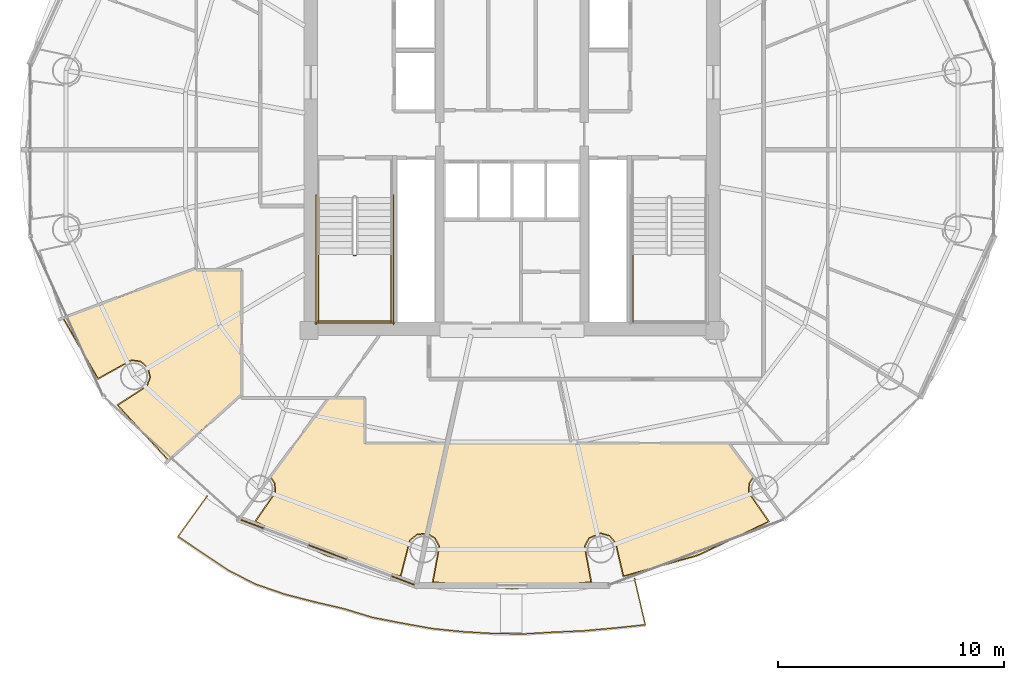
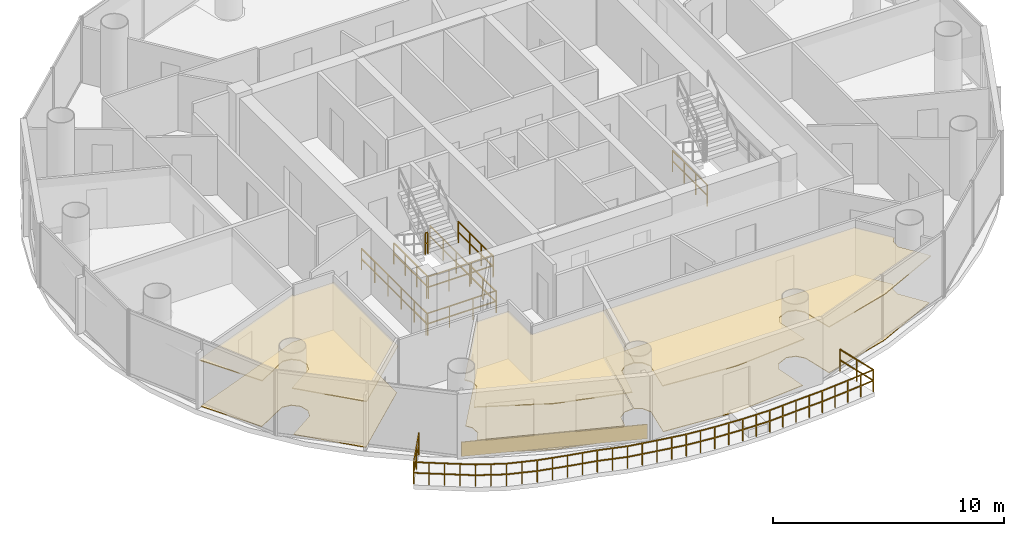
# One storey, part 24 of 26: 9 railings, 7 coverings.
"""IFC4 building model written with IfcOpenShell, lengths in metres."""

import ifcopenshell
import ifcopenshell.guid

model = None  # the IFC model being written
_history = None  # IfcOwnerHistory: only IFC2X3 demands one
_inside = {}  # id of a spatial element -> (the spatial element, [elements in it])
_under = {}  # id of a project, library or spatial element -> (it, [spatial elements below it])
_declared = {}  # id of a project -> (the project, [libraries it declares])
_typed = {}  # id of a type object -> (the type object, [elements of that type])
_made_of = {}  # id of a material, layer set ... -> (it, [elements and type objects made of it])


def new_model(schema):
    """Start an empty IFC model of exactly this schema.

    Asked for "IFC4X3", IfcOpenShell would pick the latest addendum, in which some entities
    have other attributes; the version numbers below select the first issue.
    IFC2X3 requires an IfcOwnerHistory on every rooted entity: one is made here for all.
    """
    global model, _history
    if schema == "IFC4X3":
        model = ifcopenshell.file(schema_version=(4, 3, 0, 0))
    else:
        model = ifcopenshell.file(schema=schema)
    _inside.clear()
    _under.clear()
    _declared.clear()
    _typed.clear()
    _made_of.clear()
    _history = None
    if model.schema == "IFC2X3":
        org = make("IfcOrganization", Name="unknown")
        user = make(
            "IfcPersonAndOrganization",
            ThePerson=make("IfcPerson", FamilyName="unknown"),
            TheOrganization=org,
        )
        app = make(
            "IfcApplication",
            ApplicationDeveloper=org,
            Version="unknown",
            ApplicationFullName="unknown",
            ApplicationIdentifier="unknown",
        )
        _history = make(
            "IfcOwnerHistory",
            OwningUser=user,
            OwningApplication=app,
            ChangeAction="ADDED",
            CreationDate=0,
        )
    return model


def make(cls, **values):
    """One entity of the class cls with the attributes given. An attribute that is None is left unset."""
    return model.create_entity(
        cls, **{name: value for name, value in values.items() if value is not None}
    )


def rooted(cls, **values):
    """An entity with a GlobalId (a new one), such as an element, a storey or a relation."""
    return make(cls, GlobalId=ifcopenshell.guid.new(), OwnerHistory=_history, **values)


def si_unit(unit_type, name, prefix=None):
    """IfcSIUnit, for example si_unit("LENGTHUNIT", "METRE", prefix="MILLI")."""
    return make("IfcSIUnit", UnitType=unit_type, Prefix=prefix, Name=name)


def assignment(units):
    """IfcUnitAssignment: the units of a project."""
    return None if units is None else make("IfcUnitAssignment", Units=units)


def point(xyz):
    """IfcCartesianPoint."""
    return None if xyz is None else make("IfcCartesianPoint", Coordinates=xyz)


def direction(xyz):
    """IfcDirection."""
    return None if xyz is None else make("IfcDirection", DirectionRatios=xyz)


def frame(location, z_axis=None, x_axis=None):
    """IfcAxis2Placement3D, a coordinate frame: its origin and axes. An axis left out is left unset."""
    return make(
        "IfcAxis2Placement3D",
        Location=point(location),
        Axis=direction(z_axis),
        RefDirection=direction(x_axis),
    )


def frame_2d(location, x_axis=None):
    """IfcAxis2Placement2D, a coordinate frame in the plane: its origin and x axis."""
    return make(
        "IfcAxis2Placement2D", Location=point(location), RefDirection=direction(x_axis)
    )


def origin():
    """The frame at (0, 0, 0) with its axes left unset."""
    return frame((0.0, 0.0, 0.0))


def origin_2d():
    """The frame at (0, 0) in the plane with its x axis left unset."""
    return frame_2d((0.0, 0.0))


def place(relative_to, where):
    """IfcLocalPlacement: puts the frame where relative to a parent placement (None: the world)."""
    return make(
        "IfcLocalPlacement", PlacementRelTo=relative_to, RelativePlacement=where
    )


def context(
    kind, dimensions, precision=None, world=None, true_north=None, identifier=None
):
    """IfcGeometricRepresentationContext, for example the 3D "Model" context."""
    return make(
        "IfcGeometricRepresentationContext",
        ContextIdentifier=identifier,
        ContextType=kind,
        CoordinateSpaceDimension=dimensions,
        Precision=precision,
        WorldCoordinateSystem=world,
        TrueNorth=true_north,
    )


def subcontext(parent, identifier, kind, view, scale=None):
    """IfcGeometricRepresentationSubContext, for example "Body" below "Model"."""
    return make(
        "IfcGeometricRepresentationSubContext",
        ContextIdentifier=identifier,
        ContextType=kind,
        ParentContext=parent,
        TargetScale=scale,
        TargetView=view,
    )


def project(units=None, contexts=None):
    """IfcProject with its units and contexts."""
    return rooted(
        "IfcProject",
        Name="project",
        RepresentationContexts=contexts,
        UnitsInContext=assignment(units),
    )


def spatial(cls, under=None, at=None, **own):
    """A site, building, storey or space (cls), placed at a placement, below another one or the project."""
    s = rooted(cls, ObjectPlacement=at, **own)
    if under is not None:
        _under.setdefault(under.id(), (under, []))[1].append(s)
    return s


def polyline(points):
    """IfcPolyline through the points."""
    return make("IfcPolyline", Points=[point(p) for p in points])


def profile(cls, at=None, kind="AREA", **sizes):
    """A parametric profile (cls). Its sizes go by their IFC names, for example OverallWidth=200.0."""
    return make(cls, ProfileType=kind, Position=at, **sizes)


def rectangle(**sizes):
    """IfcRectangleProfileDef."""
    return profile("IfcRectangleProfileDef", **sizes)


def outline(outer, holes=None, kind="AREA"):
    """IfcArbitraryClosedProfileDef: a profile drawn as a closed curve; with holes, ...WithVoids."""
    if holes is None:
        return make("IfcArbitraryClosedProfileDef", ProfileType=kind, OuterCurve=outer)
    return make(
        "IfcArbitraryProfileDefWithVoids",
        ProfileType=kind,
        OuterCurve=outer,
        InnerCurves=holes,
    )


def extrude(swept, where, along, depth):
    """IfcExtrudedAreaSolid: the profile swept, set in the frame where, extruded along a direction by depth."""
    return make(
        "IfcExtrudedAreaSolid",
        SweptArea=swept,
        Position=where,
        ExtrudedDirection=direction(along),
        Depth=depth,
    )


def shape(context_of_items, identifier, shape_type, items):
    """IfcShapeRepresentation: the items that make up one representation, for example the "Body"."""
    return make(
        "IfcShapeRepresentation",
        ContextOfItems=context_of_items,
        RepresentationIdentifier=identifier,
        RepresentationType=shape_type,
        Items=items,
    )


def source(mapping_origin, context_of_items, identifier, shape_type, items):
    """IfcRepresentationMap: a shape defined once, which mapped items show again and again."""
    return make(
        "IfcRepresentationMap",
        MappingOrigin=mapping_origin,
        MappedRepresentation=shape(context_of_items, identifier, shape_type, items),
    )


def transform(
    local_origin,
    x_axis=None,
    y_axis=None,
    z_axis=None,
    scale=None,
    scale2=None,
    scale3=None,
    uniform=True,
):
    """IfcCartesianTransformationOperator3D, or its non-uniform kind. x_axis, y_axis, z_axis: its Axis1, 2, 3."""
    if uniform:
        return make(
            "IfcCartesianTransformationOperator3D",
            Axis1=direction(x_axis),
            Axis2=direction(y_axis),
            LocalOrigin=point(local_origin),
            Scale=scale,
            Axis3=direction(z_axis),
        )
    return make(
        "IfcCartesianTransformationOperator3DnonUniform",
        Axis1=direction(x_axis),
        Axis2=direction(y_axis),
        LocalOrigin=point(local_origin),
        Scale=scale,
        Axis3=direction(z_axis),
        Scale2=scale2,
        Scale3=scale3,
    )


def mapped(mapping_source, mapping_target):
    """IfcMappedItem: shows the shape of a source again, moved by a transform."""
    return make(
        "IfcMappedItem", MappingSource=mapping_source, MappingTarget=mapping_target
    )


def material(Name=None, Category=None):
    """IfcMaterial."""
    return make("IfcMaterial", Name=Name, Category=Category)


def layer(
    of_material, thickness, ventilated=None, Name=None, Category=None, Priority=None
):
    """IfcMaterialLayer: one layer of a wall or slab, of a material (None: an air gap)."""
    return make(
        "IfcMaterialLayer",
        Material=of_material,
        LayerThickness=thickness,
        IsVentilated=ventilated,
        Name=Name,
        Category=Category,
        Priority=Priority,
    )


def layer_set(layers, Name=None):
    """IfcMaterialLayerSet."""
    return make("IfcMaterialLayerSet", MaterialLayers=layers, LayerSetName=Name)


def made_of(thing, what):
    """Note that an element or type object is made of a material, layer set ...; save() writes the relation."""
    if what is not None:
        _made_of.setdefault(what.id(), (what, []))[1].append(thing)
    return thing


def type_object(cls, material=None, **own):
    """A type object (cls), such as IfcWallType, which elements share."""
    return made_of(rooted(cls, **own), material)


def element(
    cls,
    number,
    at=None,
    inside=None,
    cuts=None,
    type_object=None,
    material=None,
    context=None,
    identifier="Body",
    shape_type=None,
    held_by="IfcProductDefinitionShape",
    body=None,
    shapes=None,
    **own,
):
    """One element of the class cls, such as IfcWall. Its Tag is "e" and its number.

    at: its placement. inside: the storey or other place that contains it. cuts: it is an
    opening in that element (IfcRelVoidsElement). A single representation is given by context,
    identifier, shape_type and body (its items); several are given by shapes. held_by: the class
    of the entity that holds the representations. save() writes the other relations.
    """
    e = rooted(cls, Tag="e%d" % number, ObjectPlacement=at, **own)
    if body is not None:
        shapes = [shape(context, identifier, shape_type, body)]
    if shapes is not None:
        e.Representation = make(held_by, Representations=shapes)
    if inside is not None:
        _inside.setdefault(inside.id(), (inside, []))[1].append(e)
    if cuts is not None:
        rooted(
            "IfcRelVoidsElement", RelatingBuildingElement=cuts, RelatedOpeningElement=e
        )
    if type_object is not None:
        _typed.setdefault(type_object.id(), (type_object, []))[1].append(e)
    return made_of(e, material)


def aggregate(whole, parts):
    """IfcRelAggregates: a whole, such as a stair, and the parts it consists of."""
    return rooted("IfcRelAggregates", RelatingObject=whole, RelatedObjects=parts)


def save(model, path):
    """Write the relations noted so far, then the file.

    IfcRelAggregates (storeys below a building ...), IfcRelContainedInSpatialStructure (elements
    in a storey), IfcRelDefinesByType, IfcRelAssociatesMaterial and IfcRelDeclares: one each for
    every whole, place, type object, material and project.
    """
    for whole, parts in _under.values():
        aggregate(whole, parts)
    for where, things in _inside.values():
        rooted(
            "IfcRelContainedInSpatialStructure",
            RelatedElements=things,
            RelatingStructure=where,
        )
    for kind, things in _typed.values():
        rooted("IfcRelDefinesByType", RelatedObjects=things, RelatingType=kind)
    for what, things in _made_of.values():
        rooted("IfcRelAssociatesMaterial", RelatedObjects=things, RelatingMaterial=what)
    for by, libraries in _declared.values():
        rooted("IfcRelDeclares", RelatingContext=by, RelatedDefinitions=libraries)
    model.write(path)


model = new_model("IFC4")

# Units and contexts
model_context = context("Model", 3, precision=1e-05, world=origin(), true_north=direction((-0.2419218956, 0.970295726276)))
body_context = subcontext(model_context, "Body", "Model", "MODEL_VIEW")
ifc_project = project(units=[si_unit("LENGTHUNIT", "METRE"), si_unit("AREAUNIT", "SQUARE_METRE"), si_unit("VOLUMEUNIT", "CUBIC_METRE"), si_unit("PLANEANGLEUNIT", "RADIAN"), si_unit("MASSUNIT", "GRAM", prefix="KILO")], contexts=[model_context])

# Site, building, storey
site_placement = place(None, origin())
site = spatial("IfcSite", under=ifc_project, at=site_placement, CompositionType="ELEMENT")
building_placement = place(site_placement, origin())
building = spatial("IfcBuilding", under=site, at=building_placement, Name="Cobrevalo Terracotta Tower", CompositionType="ELEMENT")
storey_placement = place(building_placement, frame((0.0, 0.0, 213.39990234375)))
storey = spatial("IfcBuildingStorey", under=building, at=storey_placement, Name="L56", CompositionType="ELEMENT", Elevation=213.39990234375)

# Railing
ifc_material_1 = material(Name="Laminated structural glass and stainless steel", Category="steel")
railing_type_1 = type_object("IfcRailingType", Name="Balcony lobe structural glass & terracotta-cap balustrade 1180 mm", PredefinedType="BALUSTRADE", material=ifc_material_1)
railing_1_placement = place(storey_placement, frame((24.493896484375, 11.471923828125, 0.0)))
element("IfcRailing", 1, at=railing_1_placement, inside=storey, type_object=railing_type_1, Name="L56 spiralling balcony lobe balustrade 2", PredefinedType="BALUSTRADE", context=body_context, shape_type="SweptSolid", body=[
    extrude(rectangle(XDim=0.048095703125, YDim=0.048095703125, at=origin_2d()), frame((0.0, 0.0, 1.15576171875), z_axis=(-0.584365777879, -0.8114903805, 0.0), x_axis=(0.8114903805, -0.584365777879, 0.0)), (0.0, 0.0, 1.0), 2.212158203125),
    extrude(rectangle(XDim=0.048095703125, YDim=0.048095703125, at=origin_2d()), frame((0.0, 0.0, 0.58984375), z_axis=(-0.584365777879, -0.8114903805, 0.0), x_axis=(0.8114903805, -0.584365777879, 0.0)), (0.0, 0.0, 1.0), 2.212158203125),
    extrude(rectangle(XDim=0.048095703125, YDim=0.048095703125, at=origin_2d()), frame((-1.292724609375, -1.795166015625, 1.15576171875), z_axis=(0.82820605993, -0.560423698906, 0.0), x_axis=(0.560423698906, 0.82820605993, 0.0)), (0.0, 0.0, 1.0), 1.335693359375),
    extrude(rectangle(XDim=0.048095703125, YDim=0.048095703125, at=origin_2d()), frame((-1.292724609375, -1.795166015625, 0.58984375), z_axis=(0.82820605993, -0.560423698906, 0.0), x_axis=(0.560423698906, 0.82820605993, 0.0)), (0.0, 0.0, 1.0), 1.335693359375),
    extrude(rectangle(XDim=0.048095703125, YDim=0.048095703125, at=origin_2d()), frame((-0.1865234375, -2.543701171875, 1.15576171875), z_axis=(0.832050294338, -0.554700196225, 0.0), x_axis=(0.554700196225, 0.832050294338, 0.0)), (0.0, 0.0, 1.0), 1.344970703125),
    extrude(rectangle(XDim=0.048095703125, YDim=0.048095703125, at=origin_2d()), frame((-0.1865234375, -2.543701171875, 0.58984375), z_axis=(0.832050294338, -0.554700196225, 0.0), x_axis=(0.554700196225, 0.832050294338, 0.0)), (0.0, 0.0, 1.0), 1.344970703125),
    extrude(rectangle(XDim=0.048095703125, YDim=0.048095703125, at=origin_2d()), frame((0.9326171875, -3.289794921875, 1.15576171875), z_axis=(0.889738179252, -0.456471217473, 0.0), x_axis=(0.456471217473, 0.889738179252, 0.0)), (0.0, 0.0, 1.0), 1.3466796875),
    extrude(rectangle(XDim=0.048095703125, YDim=0.048095703125, at=origin_2d()), frame((0.9326171875, -3.289794921875, 0.58984375), z_axis=(0.889738179252, -0.456471217473, 0.0), x_axis=(0.456471217473, 0.889738179252, 0.0)), (0.0, 0.0, 1.0), 1.3466796875),
    extrude(rectangle(XDim=0.048095703125, YDim=0.048095703125, at=origin_2d()), frame((2.130859375, -3.904541015625, 1.15576171875), z_axis=(0.945267855586, -0.32629538948, 0.0), x_axis=(0.32629538948, 0.945267855586, 0.0)), (0.0, 0.0, 1.0), 1.35791015625),
    extrude(rectangle(XDim=0.048095703125, YDim=0.048095703125, at=origin_2d()), frame((2.130859375, -3.904541015625, 0.58984375), z_axis=(0.945267855586, -0.32629538948, 0.0), x_axis=(0.32629538948, 0.945267855586, 0.0)), (0.0, 0.0, 1.0), 1.35791015625),
    extrude(rectangle(XDim=0.048095703125, YDim=0.048095703125, at=origin_2d()), frame((3.41455078125, -4.34765625, 1.15576171875), z_axis=(0.968014759985, -0.250893253101, 0.0), x_axis=(0.250893253101, 0.968014759985, 0.0)), (0.0, 0.0, 1.0), 1.3525390625),
    extrude(rectangle(XDim=0.048095703125, YDim=0.048095703125, at=origin_2d()), frame((3.41455078125, -4.34765625, 0.58984375), z_axis=(0.968014759985, -0.250893253101, 0.0), x_axis=(0.250893253101, 0.968014759985, 0.0)), (0.0, 0.0, 1.0), 1.3525390625),
    extrude(rectangle(XDim=0.048095703125, YDim=0.048095703125, at=origin_2d()), frame((4.723876953125, -4.68701171875, 1.15576171875), z_axis=(0.974070161209, -0.226246151443, 0.0), x_axis=(0.226246151443, 0.974070161209, 0.0)), (0.0, 0.0, 1.0), 1.349853515625),
    extrude(rectangle(XDim=0.048095703125, YDim=0.048095703125, at=origin_2d()), frame((4.723876953125, -4.68701171875, 0.58984375), z_axis=(0.974070161209, -0.226246151443, 0.0), x_axis=(0.226246151443, 0.974070161209, 0.0)), (0.0, 0.0, 1.0), 1.349853515625),
    extrude(rectangle(XDim=0.048095703125, YDim=0.048095703125, at=origin_2d()), frame((6.038818359375, -4.992431640625, 1.15576171875), z_axis=(0.956691517082, -0.291103660478, 0.0), x_axis=(0.291103660478, 0.956691517082, 0.0)), (0.0, 0.0, 1.0), 1.341064453125),
    extrude(rectangle(XDim=0.048095703125, YDim=0.048095703125, at=origin_2d()), frame((6.038818359375, -4.992431640625, 0.58984375), z_axis=(0.956691517082, -0.291103660478, 0.0), x_axis=(0.291103660478, 0.956691517082, 0.0)), (0.0, 0.0, 1.0), 1.341064453125),
    extrude(rectangle(XDim=0.048095703125, YDim=0.048095703125, at=origin_2d()), frame((7.32177734375, -5.3828125, 1.15576171875), z_axis=(0.981707758267, -0.190394005574, 0.0), x_axis=(0.190394005574, 0.981707758267, 0.0)), (0.0, 0.0, 1.0), 1.346435546875),
    extrude(rectangle(XDim=0.048095703125, YDim=0.048095703125, at=origin_2d()), frame((7.32177734375, -5.3828125, 0.58984375), z_axis=(0.981707758267, -0.190394005574, 0.0), x_axis=(0.190394005574, 0.981707758267, 0.0)), (0.0, 0.0, 1.0), 1.346435546875),
    extrude(rectangle(XDim=0.048095703125, YDim=0.048095703125, at=origin_2d()), frame((8.6435546875, -5.63916015625, 1.15576171875), z_axis=(0.984407415597, -0.175903496604, 0.0), x_axis=(0.175903496604, 0.984407415597, 0.0)), (0.0, 0.0, 1.0), 1.34765625),
    extrude(rectangle(XDim=0.048095703125, YDim=0.048095703125, at=origin_2d()), frame((8.6435546875, -5.63916015625, 0.58984375), z_axis=(0.984407415597, -0.175903496604, 0.0), x_axis=(0.175903496604, 0.984407415597, 0.0)), (0.0, 0.0, 1.0), 1.34765625),
    extrude(rectangle(XDim=0.048095703125, YDim=0.048095703125, at=origin_2d()), frame((9.97021484375, -5.876220703125, 1.15576171875), z_axis=(0.994731354168, -0.102516013558, 0.0), x_axis=(0.102516013558, 0.994731354168, 0.0)), (0.0, 0.0, 1.0), 1.347900390625),
    extrude(rectangle(XDim=0.048095703125, YDim=0.048095703125, at=origin_2d()), frame((9.97021484375, -5.876220703125, 0.58984375), z_axis=(0.994731354168, -0.102516013558, 0.0), x_axis=(0.102516013558, 0.994731354168, 0.0)), (0.0, 0.0, 1.0), 1.347900390625),
    extrude(rectangle(XDim=0.048095703125, YDim=0.048095703125, at=origin_2d()), frame((11.31103515625, -6.014404296875, 1.15576171875), z_axis=(0.998252494265, -0.059092788853, 0.0), x_axis=(0.059092788853, 0.998252494265, 0.0)), (0.0, 0.0, 1.0), 1.35107421875),
    extrude(rectangle(XDim=0.048095703125, YDim=0.048095703125, at=origin_2d()), frame((11.31103515625, -6.014404296875, 0.58984375), z_axis=(0.998252494265, -0.059092788853, 0.0), x_axis=(0.059092788853, 0.998252494265, 0.0)), (0.0, 0.0, 1.0), 1.35107421875),
    extrude(rectangle(XDim=0.048095703125, YDim=0.048095703125, at=origin_2d()), frame((12.65966796875, -6.09423828125, 1.15576171875), z_axis=(0.999895148577, -0.014480740747, 0.0), x_axis=(0.014480740747, 0.999895148577, 0.0)), (0.0, 0.0, 1.0), 1.348876953125),
    extrude(rectangle(XDim=0.048095703125, YDim=0.048095703125, at=origin_2d()), frame((12.65966796875, -6.09423828125, 0.58984375), z_axis=(0.999895148577, -0.014480740747, 0.0), x_axis=(0.014480740747, 0.999895148577, 0.0)), (0.0, 0.0, 1.0), 1.348876953125),
    extrude(rectangle(XDim=0.048095703125, YDim=0.048095703125, at=origin_2d()), frame((14.00830078125, -6.11376953125, 1.15576171875), z_axis=(0.998306003335, 0.058181815941, 0.0), x_axis=(-0.058181815941, 0.998306003335, 0.0)), (0.0, 0.0, 1.0), 1.35107421875),
    extrude(rectangle(XDim=0.048095703125, YDim=0.048095703125, at=origin_2d()), frame((14.00830078125, -6.11376953125, 0.58984375), z_axis=(0.998306003335, 0.058181815941, 0.0), x_axis=(-0.058181815941, 0.998306003335, 0.0)), (0.0, 0.0, 1.0), 1.35107421875),
    extrude(rectangle(XDim=0.048095703125, YDim=0.048095703125, at=origin_2d()), frame((15.357177734375, -6.03515625, 1.15576171875), z_axis=(0.999029403542, 0.044048278725, 0.0), x_axis=(-0.044048278725, 0.999029403542, 0.0)), (0.0, 0.0, 1.0), 1.352294921875),
    extrude(rectangle(XDim=0.048095703125, YDim=0.048095703125, at=origin_2d()), frame((15.357177734375, -6.03515625, 0.58984375), z_axis=(0.999029403542, 0.044048278725, 0.0), x_axis=(-0.044048278725, 0.999029403542, 0.0)), (0.0, 0.0, 1.0), 1.352294921875),
    extrude(rectangle(XDim=0.048095703125, YDim=0.048095703125, at=origin_2d()), frame((16.708251953125, -5.9755859375, 1.15576171875), z_axis=(0.995899113219, 0.090470748251, 0.0), x_axis=(-0.090470748251, 0.995899113219, 0.0)), (0.0, 0.0, 1.0), 1.354736328125),
    extrude(rectangle(XDim=0.048095703125, YDim=0.048095703125, at=origin_2d()), frame((16.708251953125, -5.9755859375, 0.58984375), z_axis=(0.995899113219, 0.090470748251, 0.0), x_axis=(-0.090470748251, 0.995899113219, 0.0)), (0.0, 0.0, 1.0), 1.354736328125),
    extrude(rectangle(XDim=0.048095703125, YDim=0.048095703125, at=origin_2d()), frame((18.057373046875, -5.85302734375, 1.15576171875), z_axis=(0.994396117334, 0.105718313608, 0.0), x_axis=(-0.105718313608, 0.994396117334, 0.0)), (0.0, 0.0, 1.0), 1.36474609375),
    extrude(rectangle(XDim=0.048095703125, YDim=0.048095703125, at=origin_2d()), frame((18.057373046875, -5.85302734375, 0.58984375), z_axis=(0.994396117334, 0.105718313608, 0.0), x_axis=(-0.105718313608, 0.994396117334, 0.0)), (0.0, 0.0, 1.0), 1.36474609375),
    extrude(rectangle(XDim=0.048095703125, YDim=0.048095703125, at=origin_2d()), frame((19.41455078125, -5.708740234375, 1.15576171875), z_axis=(-0.227546953473, 0.973767109716, 0.0), x_axis=(-0.973767109716, -0.227546953473, 0.0)), (0.0, 0.0, 1.0), 2.11572265625),
    extrude(rectangle(XDim=0.048095703125, YDim=0.048095703125, at=origin_2d()), frame((19.41455078125, -5.708740234375, 0.58984375), z_axis=(-0.227546953473, 0.973767109716, 0.0), x_axis=(-0.973767109716, -0.227546953473, 0.0)), (0.0, 0.0, 1.0), 2.11572265625),
    extrude(rectangle(XDim=0.0419921875, YDim=0.0419921875, at=origin_2d()), origin(), (0.0, 0.0, 1.0), 1.1318359375),
    extrude(rectangle(XDim=0.0419921875, YDim=0.0419921875, at=origin_2d()), frame((-0.646484375, -0.8974609375, 0.0)), (0.0, 0.0, 1.0), 1.1318359375),
    extrude(rectangle(XDim=0.0419921875, YDim=0.0419921875, at=origin_2d()), frame((-1.292724609375, -1.795166015625, 0.0)), (0.0, 0.0, 1.0), 1.1318359375),
    extrude(rectangle(XDim=0.0419921875, YDim=0.0419921875, at=origin_2d()), frame((-0.73974609375, -2.16943359375, 0.0)), (0.0, 0.0, 1.0), 1.1318359375),
    extrude(rectangle(XDim=0.0419921875, YDim=0.0419921875, at=origin_2d()), frame((-0.1865234375, -2.543701171875, 0.0)), (0.0, 0.0, 1.0), 1.1318359375),
    extrude(rectangle(XDim=0.0419921875, YDim=0.0419921875, at=origin_2d()), frame((0.373046875, -2.916748046875, 0.0)), (0.0, 0.0, 1.0), 1.1318359375),
    extrude(rectangle(XDim=0.0419921875, YDim=0.0419921875, at=origin_2d()), frame((0.9326171875, -3.289794921875, 0.0)), (0.0, 0.0, 1.0), 1.1318359375),
    extrude(rectangle(XDim=0.0419921875, YDim=0.0419921875, at=origin_2d()), frame((1.53173828125, -3.59716796875, 0.0)), (0.0, 0.0, 1.0), 1.1318359375),
    extrude(rectangle(XDim=0.0419921875, YDim=0.0419921875, at=origin_2d()), frame((2.130859375, -3.904541015625, 0.0)), (0.0, 0.0, 1.0), 1.1318359375),
    extrude(rectangle(XDim=0.0419921875, YDim=0.0419921875, at=origin_2d()), frame((2.772705078125, -4.1259765625, 0.0)), (0.0, 0.0, 1.0), 1.1318359375),
    extrude(rectangle(XDim=0.0419921875, YDim=0.0419921875, at=origin_2d()), frame((3.41455078125, -4.34765625, 0.0)), (0.0, 0.0, 1.0), 1.1318359375),
    extrude(rectangle(XDim=0.0419921875, YDim=0.0419921875, at=origin_2d()), frame((4.0693359375, -4.517333984375, 0.0)), (0.0, 0.0, 1.0), 1.1318359375),
    extrude(rectangle(XDim=0.0419921875, YDim=0.0419921875, at=origin_2d()), frame((4.723876953125, -4.68701171875, 0.0)), (0.0, 0.0, 1.0), 1.1318359375),
    extrude(rectangle(XDim=0.0419921875, YDim=0.0419921875, at=origin_2d()), frame((5.38134765625, -4.83984375, 0.0)), (0.0, 0.0, 1.0), 1.1318359375),
    extrude(rectangle(XDim=0.0419921875, YDim=0.0419921875, at=origin_2d()), frame((6.038818359375, -4.992431640625, 0.0)), (0.0, 0.0, 1.0), 1.1318359375),
    extrude(rectangle(XDim=0.0419921875, YDim=0.0419921875, at=origin_2d()), frame((6.68017578125, -5.1875, 0.0)), (0.0, 0.0, 1.0), 1.1318359375),
    extrude(rectangle(XDim=0.0419921875, YDim=0.0419921875, at=origin_2d()), frame((7.32177734375, -5.3828125, 0.0)), (0.0, 0.0, 1.0), 1.1318359375),
    extrude(rectangle(XDim=0.0419921875, YDim=0.0419921875, at=origin_2d()), frame((7.982666015625, -5.510986328125, 0.0)), (0.0, 0.0, 1.0), 1.1318359375),
    extrude(rectangle(XDim=0.0419921875, YDim=0.0419921875, at=origin_2d()), frame((8.6435546875, -5.63916015625, 0.0)), (0.0, 0.0, 1.0), 1.1318359375),
    extrude(rectangle(XDim=0.0419921875, YDim=0.0419921875, at=origin_2d()), frame((9.306884765625, -5.7578125, 0.0)), (0.0, 0.0, 1.0), 1.1318359375),
    extrude(rectangle(XDim=0.0419921875, YDim=0.0419921875, at=origin_2d()), frame((9.97021484375, -5.876220703125, 0.0)), (0.0, 0.0, 1.0), 1.1318359375),
    extrude(rectangle(XDim=0.0419921875, YDim=0.0419921875, at=origin_2d()), frame((10.640625, -5.9453125, 0.0)), (0.0, 0.0, 1.0), 1.1318359375),
    extrude(rectangle(XDim=0.0419921875, YDim=0.0419921875, at=origin_2d()), frame((11.31103515625, -6.014404296875, 0.0)), (0.0, 0.0, 1.0), 1.1318359375),
    extrude(rectangle(XDim=0.0419921875, YDim=0.0419921875, at=origin_2d()), frame((11.9853515625, -6.05419921875, 0.0)), (0.0, 0.0, 1.0), 1.1318359375),
    extrude(rectangle(XDim=0.0419921875, YDim=0.0419921875, at=origin_2d()), frame((12.65966796875, -6.09423828125, 0.0)), (0.0, 0.0, 1.0), 1.1318359375),
    extrude(rectangle(XDim=0.0419921875, YDim=0.0419921875, at=origin_2d()), frame((13.333984375, -6.10400390625, 0.0)), (0.0, 0.0, 1.0), 1.1318359375),
    extrude(rectangle(XDim=0.0419921875, YDim=0.0419921875, at=origin_2d()), frame((14.00830078125, -6.11376953125, 0.0)), (0.0, 0.0, 1.0), 1.1318359375),
    extrude(rectangle(XDim=0.0419921875, YDim=0.0419921875, at=origin_2d()), frame((14.6826171875, -6.074462890625, 0.0)), (0.0, 0.0, 1.0), 1.1318359375),
    extrude(rectangle(XDim=0.0419921875, YDim=0.0419921875, at=origin_2d()), frame((15.357177734375, -6.03515625, 0.0)), (0.0, 0.0, 1.0), 1.1318359375),
    extrude(rectangle(XDim=0.0419921875, YDim=0.0419921875, at=origin_2d()), frame((16.03271484375, -6.00537109375, 0.0)), (0.0, 0.0, 1.0), 1.1318359375),
    extrude(rectangle(XDim=0.0419921875, YDim=0.0419921875, at=origin_2d()), frame((16.708251953125, -5.9755859375, 0.0)), (0.0, 0.0, 1.0), 1.1318359375),
    extrude(rectangle(XDim=0.0419921875, YDim=0.0419921875, at=origin_2d()), frame((17.3828125, -5.914306640625, 0.0)), (0.0, 0.0, 1.0), 1.1318359375),
    extrude(rectangle(XDim=0.0419921875, YDim=0.0419921875, at=origin_2d()), frame((18.057373046875, -5.85302734375, 0.0)), (0.0, 0.0, 1.0), 1.1318359375),
    extrude(rectangle(XDim=0.0419921875, YDim=0.0419921875, at=origin_2d()), frame((18.73583984375, -5.78076171875, 0.0)), (0.0, 0.0, 1.0), 1.1318359375),
    extrude(rectangle(XDim=0.0419921875, YDim=0.0419921875, at=origin_2d()), frame((19.41455078125, -5.708740234375, 0.0)), (0.0, 0.0, 1.0), 1.1318359375),
    extrude(rectangle(XDim=0.0419921875, YDim=0.0419921875, at=origin_2d()), frame((19.173828125, -4.6787109375, 0.0)), (0.0, 0.0, 1.0), 1.1318359375),
    extrude(rectangle(XDim=0.0419921875, YDim=0.0419921875, at=origin_2d()), frame((18.93310546875, -3.6484375, 0.0)), (0.0, 0.0, 1.0), 1.1318359375),
])

# Coverings
ifc_material_2 = material(Name="Engineered Brazilian hardwood flooring", Category="wood")
ifc_layer_1 = layer(ifc_material_2, 0.028076171875)
ifc_layer_set_1 = layer_set([ifc_layer_1], Name="Engineered Brazilian hardwood flooring")
covering_type_1 = type_object("IfcCoveringType", Name="Engineered Hardwood Suite Flooring 28", PredefinedType="FLOORING", material=ifc_layer_set_1)
covering_1_placement = place(storey_placement, origin())
element("IfcCovering", 2, at=covering_1_placement, inside=storey, type_object=covering_type_1, Name="Flat L56C Master Bedroom floor finish", PredefinedType="FLOORING", context=body_context, shape_type="SweptSolid", body=[
    extrude(outline(polyline([(22.779052734375, 13.072265625), (20.546875, 15.4912109375), (21.840087890625, 16.330810546875), (21.985107421875, 16.735107421875), (21.880859375, 17.152099609375), (21.562744140625, 17.44091796875), (21.1376953125, 17.504150390625), (19.662109375, 16.6865234375), (18.132568359375, 19.342041015625), (23.985107421875, 21.53271484375), (25.9951171875, 21.4599609375), (25.9951171875, 15.978515625), (22.779052734375, 13.072265625)])), origin(), (0.0, 0.0, 1.0), 0.030029296875),
])
covering_2_placement = place(storey_placement, origin())
element("IfcCovering", 3, at=covering_2_placement, inside=storey, type_object=covering_type_1, Name="Flat L56C Principal Guest Bedroom floor finish", PredefinedType="FLOORING", context=body_context, shape_type="SweptSolid", body=[
    extrude(outline(polyline([(26.6455078125, 10.34033203125), (27.522705078125, 11.610107421875), (27.502685546875, 12.039306640625), (27.318603515625, 12.320556640625), (29.8876953125, 15.794921875), (31.4599609375, 15.794921875), (31.4599609375, 13.784912109375), (35.11474609375, 13.784912109375), (34.240234375, 9.812255859375), (33.801025390625, 9.78662109375), (33.462890625, 9.521484375), (33.0517578125, 7.93017578125), (29.763916015625, 8.858642578125), (26.6455078125, 10.34033203125)])), origin(), (0.0, 0.0, 1.0), 0.030029296875),
])
covering_3_placement = place(storey_placement, origin())
element("IfcCovering", 4, at=covering_3_placement, inside=storey, type_object=covering_type_1, Name="Flat L56D Living and Dining Room floor finish", PredefinedType="FLOORING", context=body_context, shape_type="SweptSolid", body=[
    extrude(outline(polyline([(46.236083984375, 8.858642578125), (42.9482421875, 7.93017578125), (42.6083984375, 9.39501953125), (42.32861328125, 9.72119140625), (41.91455078125, 9.836669921875), (41.396240234375, 9.6083984375), (41.2021484375, 9.22509765625), (41.490234375, 7.66845703125), (38.0, 7.380126953125), (34.509765625, 7.66845703125), (34.7978515625, 9.22509765625), (34.603759765625, 9.6083984375), (34.279052734375, 9.802978515625), (35.15576171875, 13.784912109375), (47.598388671875, 13.784912109375), (48.681396484375, 12.320556640625), (48.497314453125, 12.039306640625), (48.477294921875, 11.610107421875), (49.3544921875, 10.34033203125), (46.236083984375, 8.858642578125)])), origin(), (0.0, 0.0, 1.0), 0.030029296875),
])
ifc_material_3 = material(Name="Acoustic perforated gypsum ceiling", Category="gypsum")
ifc_layer_2 = layer(ifc_material_3, 0.050048828125)
ifc_layer_set_2 = layer_set([ifc_layer_2], Name="Acoustic perforated gypsum ceiling")
covering_type_2 = type_object("IfcCoveringType", Name="Perforated Acoustic Gypsum Ceiling 50", PredefinedType="CEILING", material=ifc_layer_set_2)
covering_4_placement = place(storey_placement, frame((0.0, 0.0, 2.445068359375)))
element("IfcCovering", 5, at=covering_4_placement, inside=storey, type_object=covering_type_2, Name="Flat L56C Master Bedroom acoustic ceiling", PredefinedType="CEILING", context=body_context, shape_type="SweptSolid", body=[
    extrude(outline(polyline([(22.77685546875, 13.009765625), (20.481201171875, 15.50439453125), (21.8037109375, 16.357666015625), (21.93994140625, 16.737548828125), (21.842041015625, 17.12890625), (21.54345703125, 17.39990234375), (21.144287109375, 17.45947265625), (19.650146484375, 16.626953125), (18.068115234375, 19.365966796875), (24.030029296875, 21.59765625), (24.030029296875, 21.5048828125), (26.0400390625, 21.5048828125), (26.0400390625, 15.95849609375), (22.77685546875, 13.009765625)])), origin(), (0.0, 0.0, 1.0), 0.050048828125),
])
covering_5_placement = place(storey_placement, frame((0.0, 0.0, 2.445068359375)))
element("IfcCovering", 6, at=covering_5_placement, inside=storey, type_object=covering_type_2, Name="Flat L56C Principal Guest Bedroom acoustic ceiling", PredefinedType="CEILING", context=body_context, shape_type="SweptSolid", body=[
    extrude(outline(polyline([(26.579833984375, 10.327392578125), (27.478759765625, 11.621337890625), (27.460205078125, 12.024169921875), (27.25830078125, 12.314697265625), (29.864990234375, 15.840087890625), (31.5048828125, 15.840087890625), (31.5048828125, 13.830078125), (35.170654296875, 13.830078125), (34.275146484375, 9.76123046875), (33.8173828125, 9.74462890625), (33.499755859375, 9.49560546875), (33.08642578125, 7.878173828125), (29.748291015625, 8.81640625), (26.579833984375, 10.327392578125)])), origin(), (0.0, 0.0, 1.0), 0.050048828125),
])
covering_6_placement = place(storey_placement, frame((0.0, 0.0, 2.445068359375)))
element("IfcCovering", 7, at=covering_6_placement, inside=storey, type_object=covering_type_2, Name="Flat L56D Living and Dining Room acoustic ceiling", PredefinedType="CEILING", context=body_context, shape_type="SweptSolid", body=[
    extrude(outline(polyline([(46.251708984375, 8.81640625), (42.91357421875, 7.878173828125), (42.56689453125, 9.376953125), (42.30419921875, 9.68310546875), (41.915771484375, 9.79150390625), (41.428955078125, 9.5771484375), (41.246826171875, 9.21728515625), (41.544189453125, 7.632568359375), (38.0, 7.3349609375), (34.455810546875, 7.632568359375), (34.753173828125, 9.21728515625), (34.571044921875, 9.5771484375), (34.2265625, 9.77294921875), (35.119384765625, 13.830078125), (47.62109375, 13.830078125), (48.74169921875, 12.314697265625), (48.539794921875, 12.024169921875), (48.521240234375, 11.621337890625), (49.420166015625, 10.327392578125), (46.251708984375, 8.81640625)])), origin(), (0.0, 0.0, 1.0), 0.050048828125),
])

# Railings
ifc_material_4 = material(Name="Painted galvanized steel", Category="steel")
railing_type_2 = type_object("IfcRailingType", Name="Stair Well Guard Balustrade 1150", PredefinedType="GUARDRAIL", material=ifc_material_4)
railing_2_placement = place(storey_placement, frame((30.97509765625, 22.1298828125, 1.85009765625)))
element("IfcRailing", 8, at=railing_2_placement, inside=storey, type_object=railing_type_2, Name="L56 ST-1 stair guard 2", PredefinedType="GUARDRAIL", context=body_context, shape_type="SweptSolid", body=[
    extrude(rectangle(XDim=0.048095703125, YDim=0.048095703125, at=origin_2d()), frame((0.0, 0.0, 1.1259765625), z_axis=(1.0, 0.0, 0.0), x_axis=(0.0, 1.0, 0.0)), (0.0, 0.0, 1.0), 0.119873046875),
    extrude(rectangle(XDim=0.048095703125, YDim=0.048095703125, at=origin_2d()), frame((0.0, 0.0, 0.574951171875), z_axis=(1.0, 0.0, 0.0), x_axis=(0.0, 1.0, 0.0)), (0.0, 0.0, 1.0), 0.119873046875),
    extrude(rectangle(XDim=0.0419921875, YDim=0.0419921875, at=origin_2d()), origin(), (0.0, 0.0, 1.0), 1.101806640625),
    extrude(rectangle(XDim=0.0419921875, YDim=0.0419921875, at=origin_2d()), frame((0.119873046875, 0.0, 0.0)), (0.0, 0.0, 1.0), 1.101806640625),
])
for number, where, name in (
    (9, (29.425048828125, 22.179931640625, 1.85009765625), "L56 ST-1 stair guard 3"),
    (10, (32.64501953125, 22.179931640625, 1.85009765625), "L56 ST-1 stair guard 4"),
):
    element("IfcRailing", number, at=place(storey_placement, frame(where)), inside=storey, type_object=railing_type_2, Name=name, PredefinedType="GUARDRAIL", context=body_context, shape_type="SweptSolid", body=[
        extrude(rectangle(XDim=0.048095703125, YDim=0.048095703125, at=origin_2d()), frame((0.0, 0.0, 1.1259765625), z_axis=(0.0, -1.0, 0.0), x_axis=(1.0, 0.0, 0.0)), (0.0, 0.0, 1.0), 3.0048828125),
        extrude(rectangle(XDim=0.048095703125, YDim=0.048095703125, at=origin_2d()), frame((0.0, 0.0, 0.574951171875), z_axis=(0.0, -1.0, 0.0), x_axis=(1.0, 0.0, 0.0)), (0.0, 0.0, 1.0), 3.0048828125),
        extrude(rectangle(XDim=0.0419921875, YDim=0.0419921875, at=origin_2d()), origin(), (0.0, 0.0, 1.0), 1.101806640625),
        extrude(rectangle(XDim=0.0419921875, YDim=0.0419921875, at=origin_2d()), frame((0.0, -1.001708984375, 0.0)), (0.0, 0.0, 1.0), 1.101806640625),
        extrude(rectangle(XDim=0.0419921875, YDim=0.0419921875, at=origin_2d()), frame((0.0, -2.003173828125, 0.0)), (0.0, 0.0, 1.0), 1.101806640625),
        extrude(rectangle(XDim=0.0419921875, YDim=0.0419921875, at=origin_2d()), frame((0.0, -3.0048828125, 0.0)), (0.0, 0.0, 1.0), 1.101806640625),
    ])
railing_3_placement = place(storey_placement, frame((29.375, 19.22509765625, 1.85009765625)))
element("IfcRailing", 11, at=railing_3_placement, inside=storey, type_object=railing_type_2, Name="L56 ST-1 stair guard 5", PredefinedType="GUARDRAIL", context=body_context, shape_type="SweptSolid", body=[
    extrude(rectangle(XDim=0.048095703125, YDim=0.048095703125, at=origin_2d()), frame((0.0, 0.0, 1.1259765625), z_axis=(1.0, 0.0, 0.0), x_axis=(0.0, 1.0, 0.0)), (0.0, 0.0, 1.0), 3.320068359375),
    extrude(rectangle(XDim=0.048095703125, YDim=0.048095703125, at=origin_2d()), frame((0.0, 0.0, 0.574951171875), z_axis=(1.0, 0.0, 0.0), x_axis=(0.0, 1.0, 0.0)), (0.0, 0.0, 1.0), 3.320068359375),
    extrude(rectangle(XDim=0.0419921875, YDim=0.0419921875, at=origin_2d()), origin(), (0.0, 0.0, 1.0), 1.101806640625),
    extrude(rectangle(XDim=0.0419921875, YDim=0.0419921875, at=origin_2d()), frame((1.106689453125, 0.0, 0.0)), (0.0, 0.0, 1.0), 1.101806640625),
    extrude(rectangle(XDim=0.0419921875, YDim=0.0419921875, at=origin_2d()), frame((2.21337890625, 0.0, 0.0)), (0.0, 0.0, 1.0), 1.101806640625),
    extrude(rectangle(XDim=0.0419921875, YDim=0.0419921875, at=origin_2d()), frame((3.320068359375, 0.0, 0.0)), (0.0, 0.0, 1.0), 1.101806640625),
])
for number, where, name in (
    (12, (29.324951171875, 24.800048828125, 0.0), "L56 ST-1 stair guard 10"),
    (13, (32.7451171875, 24.800048828125, 0.0), "L56 ST-1 stair guard 11"),
):
    element("IfcRailing", number, at=place(storey_placement, frame(where)), inside=storey, type_object=railing_type_2, Name=name, PredefinedType="GUARDRAIL", context=body_context, shape_type="SweptSolid", body=[
        extrude(rectangle(XDim=0.048095703125, YDim=0.048095703125, at=origin_2d()), frame((0.0, 0.0, 1.1259765625), z_axis=(0.0, -1.0, 0.0), x_axis=(1.0, 0.0, 0.0)), (0.0, 0.0, 1.0), 5.72509765625),
        extrude(rectangle(XDim=0.048095703125, YDim=0.048095703125, at=origin_2d()), frame((0.0, 0.0, 0.574951171875), z_axis=(0.0, -1.0, 0.0), x_axis=(1.0, 0.0, 0.0)), (0.0, 0.0, 1.0), 5.72509765625),
        extrude(rectangle(XDim=0.0419921875, YDim=0.0419921875, at=origin_2d()), origin(), (0.0, 0.0, 1.0), 1.101806640625),
        extrude(rectangle(XDim=0.0419921875, YDim=0.0419921875, at=origin_2d()), frame((0.0, -1.14501953125, 0.0)), (0.0, 0.0, 1.0), 1.101806640625),
        extrude(rectangle(XDim=0.0419921875, YDim=0.0419921875, at=origin_2d()), frame((0.0, -2.2900390625, 0.0)), (0.0, 0.0, 1.0), 1.101806640625),
        extrude(rectangle(XDim=0.0419921875, YDim=0.0419921875, at=origin_2d()), frame((0.0, -3.43505859375, 0.0)), (0.0, 0.0, 1.0), 1.101806640625),
        extrude(rectangle(XDim=0.0419921875, YDim=0.0419921875, at=origin_2d()), frame((0.0, -4.580078125, 0.0)), (0.0, 0.0, 1.0), 1.101806640625),
        extrude(rectangle(XDim=0.0419921875, YDim=0.0419921875, at=origin_2d()), frame((0.0, -5.72509765625, 0.0)), (0.0, 0.0, 1.0), 1.101806640625),
    ])
railing_4_placement = place(storey_placement, frame((29.27490234375, 19.125, 0.0)))
element("IfcRailing", 14, at=railing_4_placement, inside=storey, type_object=railing_type_2, Name="L56 ST-1 stair guard 12", PredefinedType="GUARDRAIL", context=body_context, shape_type="SweptSolid", body=[
    extrude(rectangle(XDim=0.048095703125, YDim=0.048095703125, at=origin_2d()), frame((0.0, 0.0, 1.1259765625), z_axis=(1.0, 0.0, 0.0), x_axis=(0.0, 1.0, 0.0)), (0.0, 0.0, 1.0), 3.52001953125),
    extrude(rectangle(XDim=0.048095703125, YDim=0.048095703125, at=origin_2d()), frame((0.0, 0.0, 0.574951171875), z_axis=(1.0, 0.0, 0.0), x_axis=(0.0, 1.0, 0.0)), (0.0, 0.0, 1.0), 3.52001953125),
    extrude(rectangle(XDim=0.0419921875, YDim=0.0419921875, at=origin_2d()), origin(), (0.0, 0.0, 1.0), 1.101806640625),
    extrude(rectangle(XDim=0.0419921875, YDim=0.0419921875, at=origin_2d()), frame((1.17333984375, 0.0, 0.0)), (0.0, 0.0, 1.0), 1.101806640625),
    extrude(rectangle(XDim=0.0419921875, YDim=0.0419921875, at=origin_2d()), frame((2.3466796875, 0.0, 0.0)), (0.0, 0.0, 1.0), 1.101806640625),
    extrude(rectangle(XDim=0.0419921875, YDim=0.0419921875, at=origin_2d()), frame((3.52001953125, 0.0, 0.0)), (0.0, 0.0, 1.0), 1.101806640625),
])
railing_5_placement = place(storey_placement, frame((43.35498046875, 22.179931640625, 1.85009765625)))
element("IfcRailing", 15, at=railing_5_placement, inside=storey, type_object=railing_type_2, Name="L56 ST-2 stair guard 3", PredefinedType="GUARDRAIL", context=body_context, shape_type="SweptSolid", body=[
    extrude(rectangle(XDim=0.048095703125, YDim=0.048095703125, at=origin_2d()), frame((0.0, 0.0, 1.1259765625), z_axis=(0.0, -1.0, 0.0), x_axis=(1.0, 0.0, 0.0)), (0.0, 0.0, 1.0), 3.0048828125),
    extrude(rectangle(XDim=0.048095703125, YDim=0.048095703125, at=origin_2d()), frame((0.0, 0.0, 0.574951171875), z_axis=(0.0, -1.0, 0.0), x_axis=(1.0, 0.0, 0.0)), (0.0, 0.0, 1.0), 3.0048828125),
    extrude(rectangle(XDim=0.0419921875, YDim=0.0419921875, at=origin_2d()), origin(), (0.0, 0.0, 1.0), 1.101806640625),
    extrude(rectangle(XDim=0.0419921875, YDim=0.0419921875, at=origin_2d()), frame((0.0, -1.001708984375, 0.0)), (0.0, 0.0, 1.0), 1.101806640625),
    extrude(rectangle(XDim=0.0419921875, YDim=0.0419921875, at=origin_2d()), frame((0.0, -2.003173828125, 0.0)), (0.0, 0.0, 1.0), 1.101806640625),
    extrude(rectangle(XDim=0.0419921875, YDim=0.0419921875, at=origin_2d()), frame((0.0, -3.0048828125, 0.0)), (0.0, 0.0, 1.0), 1.101806640625),
])

# Covering
ifc_material_5 = material(Name="Glazed terracotta facade cladding tile", Category="masonry")
ifc_layer_3 = layer(ifc_material_5, 0.044921875)
ifc_layer_set_3 = layer_set([ifc_layer_3], Name="Glazed terracotta facade cladding tile")
covering_type_3 = type_object("IfcCoveringType", Name="Architectural terracotta rainscreen spandrel cladding 45 mm", PredefinedType="CLADDING", material=ifc_layer_set_3)
shared_shape = source(origin(), body_context, "Body", "SweptSolid", [
    extrude(rectangle(XDim=8.17919921875, YDim=0.044921875, at=origin_2d()), origin(), (0.0, 0.0, 1.0), 0.760009765625),
])
covering_7_placement = place(storey_placement, frame((29.8291015625, 8.9765625, 0.0400390625), z_axis=(0.0, 0.0, 1.0), x_axis=(0.936557839879, -0.350513070458, 0.0)))
element("IfcCovering", 16, at=covering_7_placement, inside=storey, type_object=covering_type_3, Name="L56 terracotta spandrel cladding S11", PredefinedType="CLADDING", context=body_context, shape_type="MappedRepresentation", body=[
    mapped(shared_shape, transform((0.0, 0.0, 0.0), scale=1.0)),
])

save(model, "model.ifc")
